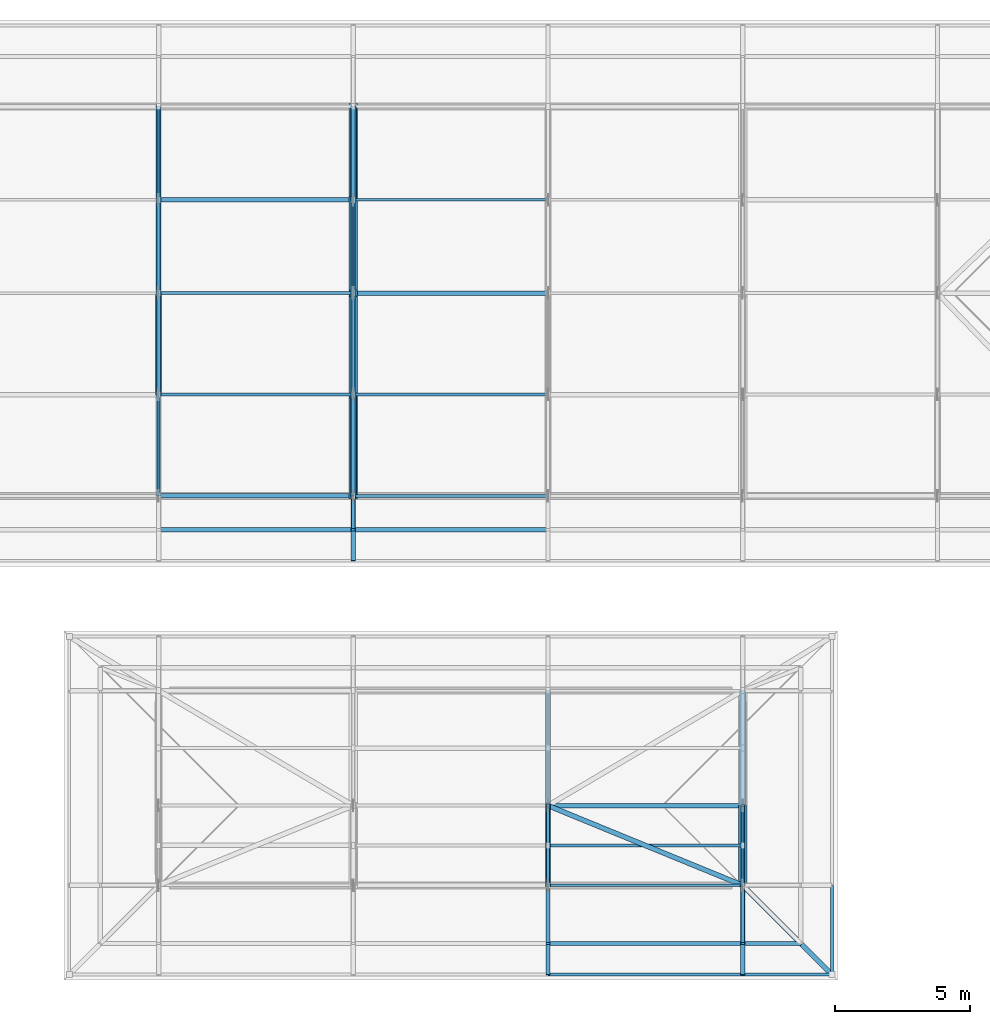
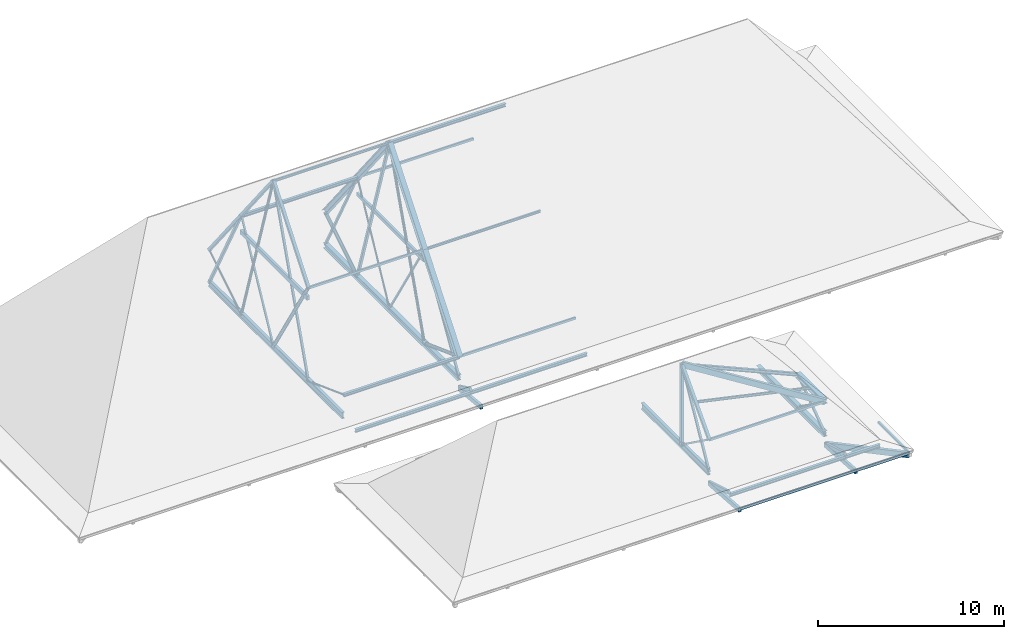
# One storey, part 3 of 12: 57 members, 4 beams.
"""IFC4 building model written with IfcOpenShell, lengths in metres."""

from ifc_helpers import new_model, si_unit, direction, frame, origin, origin_2d, place, context, subcontext, project, spatial, rectangle, hollow_rectangle, hollow_circle, i_section, extrude, material, material_profile, profile_set, type_object, element, save


model = new_model("IFC4")

# Units and contexts
model_context = context("Model", 3, precision=1e-05, world=origin(), true_north=direction((0.0, 1.0)))
body_context = subcontext(model_context, "Body", "Model", "MODEL_VIEW")
ifc_project = project(units=[si_unit("LENGTHUNIT", "METRE"), si_unit("AREAUNIT", "SQUARE_METRE"), si_unit("VOLUMEUNIT", "CUBIC_METRE"), si_unit("PLANEANGLEUNIT", "RADIAN"), si_unit("MASSUNIT", "GRAM", prefix="KILO")], contexts=[model_context])

# Site, building, storey
site_placement = place(None, origin())
site = spatial("IfcSite", under=ifc_project, at=site_placement, CompositionType="ELEMENT")
building_placement = place(site_placement, origin())
building = spatial("IfcBuilding", under=site, at=building_placement, Name="Steenspoor Specialist Clinic", CompositionType="ELEMENT")
storey_placement = place(building_placement, frame((0.0, 0.0, 25.800048828125)))
storey = spatial("IfcBuildingStorey", under=building, at=storey_placement, Name="RF", CompositionType="ELEMENT", Elevation=25.800048828125)

# Beams
ifc_material_1 = material(Name="Steel A992 Grade 50", Category="steel")
ifc_material_profile_1 = material_profile(ifc_material_1, i_section(OverallWidth=0.25390625, OverallDepth=0.35302734375, WebThickness=0.009521484375, FlangeThickness=0.016357421875, at=origin_2d()), Name="W360X91")
ifc_profile_set_1 = profile_set([ifc_material_profile_1], Name="Steel A992 Grade 50")
beam_type_1 = type_object("IfcBeamType", Name="BM-ST-W360X91", PredefinedType="BEAM", material=ifc_profile_set_1)
beam_1_placement = place(storey_placement, frame((81.199951171875, 93.949951171875, 0.196533203125), z_axis=(0.0, 1.0, 0.0), x_axis=(-1.0, 0.0, 0.0)))
element("IfcBeam", 1, at=beam_1_placement, inside=storey, type_object=beam_type_1, Name="ROOF TRUSS Bottom Tie Chord V4 4", PredefinedType="BEAM", context=body_context, shape_type="SweptSolid", body=[
    extrude(i_section(OverallWidth=0.25390625, OverallDepth=0.35302734375, WebThickness=0.009521484375, FlangeThickness=0.016357421875, at=origin_2d()), origin(), (0.0, 0.0, 1.0), 14.400146484375),
])
beam_2_placement = place(storey_placement, frame((95.60009765625, 79.550048828125, 0.196533203125), z_axis=(0.0, 1.0, 0.0), x_axis=(-1.0, 0.0, 0.0)))
element("IfcBeam", 2, at=beam_2_placement, inside=storey, type_object=beam_type_1, Name="ROOF TRUSS Bottom Tie Chord V4S 4", PredefinedType="BEAM", context=body_context, shape_type="SweptSolid", body=[
    extrude(i_section(OverallWidth=0.25390625, OverallDepth=0.35302734375, WebThickness=0.009521484375, FlangeThickness=0.016357421875, at=origin_2d()), origin(), (0.0, 0.0, 1.0), 7.199951171875),
])
ifc_material_profile_2 = material_profile(ifc_material_1, i_section(OverallWidth=0.180908203125, OverallDepth=0.4169921875, WebThickness=0.010986328125, FlangeThickness=0.018310546875, at=origin_2d()), Name="W410X85")
ifc_profile_set_2 = profile_set([ifc_material_profile_2], Name="Steel A992 Grade 50")
beam_type_2 = type_object("IfcBeamType", Name="BM-ST-W410X85", PredefinedType="BEAM", material=ifc_profile_set_2)
beam_3_placement = place(storey_placement, frame((74.0, 93.949951171875, 0.228515625), z_axis=(0.0, 1.0, 0.0), x_axis=(-1.0, 0.0, 0.0)))
element("IfcBeam", 3, at=beam_3_placement, inside=storey, type_object=beam_type_2, Name="ROOF TRUSS Bottom Tie Chord V4 3", PredefinedType="BEAM", context=body_context, shape_type="SweptSolid", body=[
    extrude(i_section(OverallWidth=0.180908203125, OverallDepth=0.4169921875, WebThickness=0.010986328125, FlangeThickness=0.018310546875, at=origin_2d()), origin(), (0.0, 0.0, 1.0), 14.400146484375),
])
beam_4_placement = place(storey_placement, frame((88.39990234375, 79.550048828125, 0.228515625), z_axis=(0.0, 1.0, 0.0), x_axis=(-1.0, 0.0, 0.0)))
element("IfcBeam", 4, at=beam_4_placement, inside=storey, type_object=beam_type_2, Name="ROOF TRUSS Bottom Tie Chord V4S 3", PredefinedType="BEAM", context=body_context, shape_type="SweptSolid", body=[
    extrude(i_section(OverallWidth=0.180908203125, OverallDepth=0.4169921875, WebThickness=0.010986328125, FlangeThickness=0.018310546875, at=origin_2d()), origin(), (0.0, 0.0, 1.0), 7.199951171875),
])

# Members
ifc_material_2 = material(Name="Steel A500 Grade C", Category="steel")
ifc_material_profile_3 = material_profile(ifc_material_2, hollow_circle(Radius=0.084228515625, WallThickness=0.007080078125, at=origin_2d()), Name="CHS168X7.1")
ifc_profile_set_3 = profile_set([ifc_material_profile_3], Name="Steel A500 Grade C")
member_type_1 = type_object("IfcMemberType", Name="MEM-BRACE-CHS168", PredefinedType="BRACE", material=ifc_profile_set_3)
member_1_placement = place(storey_placement, frame((74.0, 101.449951171875, 11.097900390625), z_axis=(0.0, 0.302527577428, -0.953140632276), x_axis=(-1.0, 0.0, 0.0)))
element("IfcMember", 5, at=member_1_placement, inside=storey, type_object=member_type_1, Name="ROOF TRUSS Web Brace V4 3.3", PredefinedType="BRACE", context=body_context, shape_type="SweptSolid", body=[
    extrude(hollow_circle(Radius=0.084228515625, WallThickness=0.007080078125, at=origin_2d()), origin(), (0.0, 0.0, 1.0), 11.40380859375),
])
member_2_placement = place(storey_placement, frame((81.199951171875, 97.699951171875, 0.196533203125), z_axis=(0.0, 0.326363903027, 0.945244202733), x_axis=(-1.0, 0.0, 0.0)))
element("IfcMember", 6, at=member_2_placement, inside=storey, type_object=member_type_1, Name="ROOF TRUSS Web Brace V4 4.2", PredefinedType="BRACE", context=body_context, shape_type="SweptSolid", body=[
    extrude(hollow_circle(Radius=0.084228515625, WallThickness=0.007080078125, at=origin_2d()), origin(), (0.0, 0.0, 1.0), 11.490234375),
])
ifc_material_profile_4 = material_profile(ifc_material_2, hollow_rectangle(XDim=0.126953125, YDim=0.126953125, WallThickness=0.0087890625, at=origin_2d()), Name="HSS127X127X9.5")
ifc_profile_set_4 = profile_set([ifc_material_profile_4], Name="Steel A500 Grade C")
member_type_2 = type_object("IfcMemberType", Name="MEM-BRACE-H127A", PredefinedType="BRACE", material=ifc_profile_set_4)
member_3_placement = place(storey_placement, frame((81.199951171875, 104.89990234375, 6.695556640625), z_axis=(0.0, 0.468899672355, -0.883251434907), x_axis=(-1.0, 0.0, 0.0)))
element("IfcMember", 7, at=member_3_placement, inside=storey, type_object=member_type_2, Name="ROOF TRUSS Web Brace V4 4.4", PredefinedType="BRACE", context=body_context, shape_type="SweptSolid", body=[
    extrude(hollow_rectangle(XDim=0.126953125, YDim=0.126953125, WallThickness=0.0087890625, at=origin_2d()), origin(), (0.0, 0.0, 1.0), 7.358154296875),
])
member_4_placement = place(storey_placement, frame((88.39990234375, 79.550048828125, 0.228515625), z_axis=(0.0, 0.487326825057, 0.873219654829), x_axis=(-1.0, 0.0, 0.0)))
element("IfcMember", 8, at=member_4_placement, inside=storey, type_object=member_type_2, Name="ROOF TRUSS Web Brace V4S 3.1", PredefinedType="BRACE", context=body_context, shape_type="SweptSolid", body=[
    extrude(hollow_rectangle(XDim=0.126953125, YDim=0.126953125, WallThickness=0.0087890625, at=origin_2d()), origin(), (0.0, 0.0, 1.0), 6.05322265625),
])
ifc_material_profile_5 = material_profile(ifc_material_2, hollow_rectangle(XDim=0.126953125, YDim=0.126953125, WallThickness=0.005859375, at=origin_2d()), Name="HSS127X127X6.4")
ifc_profile_set_5 = profile_set([ifc_material_profile_5], Name="Steel A500 Grade C")
member_type_3 = type_object("IfcMemberType", Name="MEM-BRACE-H127B", PredefinedType="BRACE", material=ifc_profile_set_5)
member_5_placement = place(storey_placement, frame((74.0, 97.699951171875, 0.228515625), z_axis=(0.0, 0.326141184088, 0.945321071405), x_axis=(-1.0, 0.0, 0.0)))
element("IfcMember", 9, at=member_5_placement, inside=storey, type_object=member_type_3, Name="ROOF TRUSS Web Brace V4 3.2", PredefinedType="BRACE", context=body_context, shape_type="SweptSolid", body=[
    extrude(hollow_rectangle(XDim=0.126953125, YDim=0.126953125, WallThickness=0.005859375, at=origin_2d()), origin(), (0.0, 0.0, 1.0), 11.498046875),
])
member_6_placement = place(storey_placement, frame((81.199951171875, 93.949951171875, 0.196533203125), z_axis=(0.0, 0.522487076428, 0.85264720428), x_axis=(-1.0, 0.0, 0.0)))
element("IfcMember", 10, at=member_6_placement, inside=storey, type_object=member_type_3, Name="ROOF TRUSS Web Brace V4 4.1", PredefinedType="BRACE", context=body_context, shape_type="SweptSolid", body=[
    extrude(hollow_rectangle(XDim=0.126953125, YDim=0.126953125, WallThickness=0.005859375, at=origin_2d()), origin(), (0.0, 0.0, 1.0), 7.17724609375),
])
member_7_placement = place(storey_placement, frame((95.60009765625, 79.550048828125, 0.196533203125), z_axis=(0.0, 0.812928075084, 0.582364099804), x_axis=(-1.0, 0.0, 0.0)))
element("IfcMember", 11, at=member_7_placement, inside=storey, type_object=member_type_3, Name="ROOF TRUSS Web Brace V4S 4.1", PredefinedType="BRACE", context=body_context, shape_type="SweptSolid", body=[
    extrude(hollow_rectangle(XDim=0.126953125, YDim=0.126953125, WallThickness=0.005859375, at=origin_2d()), origin(), (0.0, 0.0, 1.0), 3.62890625),
])
ifc_material_profile_6 = material_profile(ifc_material_2, hollow_rectangle(XDim=0.15234375, YDim=0.15234375, WallThickness=0.0087890625, at=origin_2d()), Name="HSS152X152X9.5")
ifc_profile_set_6 = profile_set([ifc_material_profile_6], Name="Steel A500 Grade C")
member_type_4 = type_object("IfcMemberType", Name="MEM-BRACE-H152", PredefinedType="BRACE", material=ifc_profile_set_6)
member_8_placement = place(storey_placement, frame((74.0, 104.89990234375, 6.73583984375), z_axis=(0.0, 0.4684328541, -0.883499100848), x_axis=(-1.0, 0.0, 0.0)))
element("IfcMember", 12, at=member_8_placement, inside=storey, type_object=member_type_4, Name="ROOF TRUSS Web Brace V4 3.4", PredefinedType="BRACE", context=body_context, shape_type="SweptSolid", body=[
    extrude(hollow_rectangle(XDim=0.15234375, YDim=0.15234375, WallThickness=0.0087890625, at=origin_2d()), origin(), (0.0, 0.0, 1.0), 7.365478515625),
])
member_9_placement = place(storey_placement, frame((81.199951171875, 101.449951171875, 11.0576171875), z_axis=(0.0, 0.302737606377, -0.953073943451), x_axis=(-1.0, 0.0, 0.0)))
element("IfcMember", 13, at=member_9_placement, inside=storey, type_object=member_type_4, Name="ROOF TRUSS Web Brace V4 4.3", PredefinedType="BRACE", context=body_context, shape_type="SweptSolid", body=[
    extrude(hollow_rectangle(XDim=0.15234375, YDim=0.15234375, WallThickness=0.0087890625, at=origin_2d()), origin(), (0.0, 0.0, 1.0), 11.395751953125),
])
ifc_material_profile_7 = material_profile(ifc_material_2, hollow_rectangle(XDim=0.177734375, YDim=0.177734375, WallThickness=0.0087890625, at=origin_2d()), Name="HSS178X178X9.5")
ifc_profile_set_7 = profile_set([ifc_material_profile_7], Name="Steel A500 Grade C")
member_type_5 = type_object("IfcMemberType", Name="MEM-CHORD-H178", PredefinedType="CHORD", material=ifc_profile_set_7)
member_10_placement = place(storey_placement, frame((74.0, 97.699951171875, 6.3564453125), z_axis=(0.0, 0.620331511659, 0.784339732287), x_axis=(-1.0, 0.0, 0.0)))
element("IfcMember", 14, at=member_10_placement, inside=storey, type_object=member_type_5, Name="ROOF TRUSS Top Chord V4 3.2", PredefinedType="CHORD", context=body_context, shape_type="SweptSolid", body=[
    extrude(hollow_rectangle(XDim=0.177734375, YDim=0.177734375, WallThickness=0.0087890625, at=origin_2d()), origin(), (0.0, 0.0, 1.0), 6.045166015625),
])
for number, where, z_axis, x_axis, name in (
    (15, (74.0, 101.449951171875, 11.097900390625), (0.0, 0.620332945322, -0.784338598405), (-1.0, 0.0, 0.0), "ROOF TRUSS Top Chord V4 3.3"),
    (16, (74.0, 104.89990234375, 6.73583984375), (0.0, 0.620359950148, -0.784317239548), (-1.0, 0.0, 0.0), "ROOF TRUSS Top Chord V4 3.4"),
):
    element("IfcMember", number, at=place(storey_placement, frame(where, z_axis=z_axis, x_axis=x_axis)), inside=storey, type_object=member_type_5, Name=name, PredefinedType="CHORD", context=body_context, shape_type="SweptSolid", body=[
        extrude(hollow_rectangle(XDim=0.177734375, YDim=0.177734375, WallThickness=0.0087890625, at=origin_2d()), origin(), (0.0, 0.0, 1.0), 5.5615234375),
    ])
member_11_placement = place(storey_placement, frame((88.39990234375, 79.550048828125, 2.354248046875), z_axis=(0.0, 0.682376600289, 0.731000803951), x_axis=(-1.0, 0.0, 0.0)))
element("IfcMember", 17, at=member_11_placement, inside=storey, type_object=member_type_5, Name="ROOF TRUSS Top Chord V4S 3.1", PredefinedType="CHORD", context=body_context, shape_type="SweptSolid", body=[
    extrude(hollow_rectangle(XDim=0.177734375, YDim=0.177734375, WallThickness=0.0087890625, at=origin_2d()), origin(), (0.0, 0.0, 1.0), 4.322998046875),
])
ifc_material_profile_8 = material_profile(ifc_material_1, i_section(OverallWidth=0.304931640625, OverallDepth=0.30810546875, WebThickness=0.010009765625, FlangeThickness=0.015380859375, at=origin_2d()), Name="W310X97")
ifc_profile_set_8 = profile_set([ifc_material_profile_8], Name="Steel A992 Grade 50")
member_type_6 = type_object("IfcMemberType", Name="MEM-CHORD-W310", PredefinedType="CHORD", material=ifc_profile_set_8)
for number, where, z_axis, x_axis, name in (
    (18, (81.199951171875, 93.949951171875, 1.57470703125), (0.0, 0.620331511659, 0.784339732287), (-1.0, 0.0, 0.0), "ROOF TRUSS Top Chord V4 4.1"),
    (19, (81.199951171875, 97.699951171875, 6.316162109375), (0.0, 0.620331511659, 0.784339732287), (-1.0, 0.0, 0.0), "ROOF TRUSS Top Chord V4 4.2"),
):
    element("IfcMember", number, at=place(storey_placement, frame(where, z_axis=z_axis, x_axis=x_axis)), inside=storey, type_object=member_type_6, Name=name, PredefinedType="CHORD", context=body_context, shape_type="SweptSolid", body=[
        extrude(i_section(OverallWidth=0.304931640625, OverallDepth=0.30810546875, WebThickness=0.010009765625, FlangeThickness=0.015380859375, at=origin_2d()), origin(), (0.0, 0.0, 1.0), 6.045166015625),
    ])
member_12_placement = place(storey_placement, frame((81.199951171875, 101.449951171875, 11.0576171875), z_axis=(0.0, 0.620332945322, -0.784338598405), x_axis=(-1.0, 0.0, 0.0)))
element("IfcMember", 20, at=member_12_placement, inside=storey, type_object=member_type_6, Name="ROOF TRUSS Top Chord V4 4.3", PredefinedType="CHORD", context=body_context, shape_type="SweptSolid", body=[
    extrude(i_section(OverallWidth=0.304931640625, OverallDepth=0.30810546875, WebThickness=0.010009765625, FlangeThickness=0.015380859375, at=origin_2d()), origin(), (0.0, 0.0, 1.0), 5.5615234375),
])
member_13_placement = place(storey_placement, frame((81.199951171875, 104.89990234375, 6.695556640625), z_axis=(0.0, 0.620338591913, -0.784334132487), x_axis=(-1.0, 0.0, 0.0)))
element("IfcMember", 21, at=member_13_placement, inside=storey, type_object=member_type_6, Name="ROOF TRUSS Top Chord V4 4.4", PredefinedType="CHORD", context=body_context, shape_type="SweptSolid", body=[
    extrude(i_section(OverallWidth=0.304931640625, OverallDepth=0.30810546875, WebThickness=0.010009765625, FlangeThickness=0.015380859375, at=origin_2d()), origin(), (0.0, 0.0, 1.0), 5.561767578125),
])
member_14_placement = place(storey_placement, frame((95.60009765625, 79.550048828125, 2.309814453125), z_axis=(0.0, 1.0, 0.0), x_axis=(-1.0, 0.0, 0.0)))
element("IfcMember", 22, at=member_14_placement, inside=storey, type_object=member_type_6, Name="ROOF TRUSS Top Chord V4S 4.1", PredefinedType="CHORD", context=body_context, shape_type="SweptSolid", body=[
    extrude(i_section(OverallWidth=0.304931640625, OverallDepth=0.30810546875, WebThickness=0.010009765625, FlangeThickness=0.015380859375, at=origin_2d()), origin(), (0.0, 0.0, 1.0), 2.949951171875),
])
ifc_material_profile_9 = material_profile(ifc_material_2, hollow_rectangle(XDim=0.1015625, YDim=0.15234375, WallThickness=0.005859375, at=origin_2d()), Name="HSS152X102X6.4")
ifc_profile_set_9 = profile_set([ifc_material_profile_9], Name="Steel A500 Grade C")
member_type_7 = type_object("IfcMemberType", Name="MEM-PURLIN-H152", PredefinedType="PURLIN", material=ifc_profile_set_9)
for number, where, z_axis, x_axis, name in (
    (23, (74.0, 97.699951171875, 6.33544921875), (1.0, 0.0, 0.0), (0.0, 1.0, 0.0), "ROOF TRUSS Purlin 334"),
    (24, (81.199951171875, 93.949951171875, 1.593994140625), (1.0, 0.0, 0.0), (0.0, 1.0, 0.0), "ROOF TRUSS Purlin 338"),
    (25, (81.199951171875, 104.89990234375, 6.71484375), (1.0, 0.0, 0.0), (0.0, 1.0, 0.0), "ROOF TRUSS Purlin 341"),
):
    element("IfcMember", number, at=place(storey_placement, frame(where, z_axis=z_axis, x_axis=x_axis)), inside=storey, type_object=member_type_7, Name=name, PredefinedType="PURLIN", context=body_context, shape_type="SweptSolid", body=[
        extrude(hollow_rectangle(XDim=0.1015625, YDim=0.15234375, WallThickness=0.005859375, at=origin_2d()), origin(), (0.0, 0.0, 1.0), 7.199951171875),
    ])
member_15_placement = place(storey_placement, frame((88.39990234375, 76.25, -0.195068359375), z_axis=(1.0, 0.0, 0.0), x_axis=(0.0, 1.0, 0.0)))
element("IfcMember", 26, at=member_15_placement, inside=storey, type_object=member_type_7, Name="ROOF TRUSS Eave Fascia 365", PredefinedType="PURLIN", context=body_context, shape_type="SweptSolid", body=[
    extrude(hollow_rectangle(XDim=0.1015625, YDim=0.15234375, WallThickness=0.005859375, at=origin_2d()), origin(), (0.0, 0.0, 1.0), 7.2001953125),
])
member_16_placement = place(storey_placement, frame((95.60009765625, 76.25, -0.195068359375), z_axis=(1.0, 0.0, 0.0), x_axis=(0.0, 1.0, 0.0)))
element("IfcMember", 27, at=member_16_placement, inside=storey, type_object=member_type_7, Name="ROOF TRUSS Eave Fascia 366", PredefinedType="PURLIN", context=body_context, shape_type="SweptSolid", body=[
    extrude(hollow_rectangle(XDim=0.1015625, YDim=0.15234375, WallThickness=0.005859375, at=origin_2d()), origin(), (0.0, 0.0, 1.0), 3.2998046875),
])
member_17_placement = place(storey_placement, frame((98.89990234375, 76.25, -0.195068359375), z_axis=(0.0, 1.0, 0.0), x_axis=(-1.0, 0.0, 0.0)))
element("IfcMember", 28, at=member_17_placement, inside=storey, type_object=member_type_7, Name="ROOF TRUSS Eave Fascia 375", PredefinedType="PURLIN", context=body_context, shape_type="SweptSolid", body=[
    extrude(hollow_rectangle(XDim=0.1015625, YDim=0.15234375, WallThickness=0.005859375, at=origin_2d()), origin(), (0.0, 0.0, 1.0), 3.300048828125),
])
member_18_placement = place(storey_placement, frame((88.39990234375, 79.550048828125, 2.3388671875), z_axis=(1.0, 0.0, 0.0), x_axis=(0.0, 1.0, 0.0)))
element("IfcMember", 29, at=member_18_placement, inside=storey, type_object=member_type_7, Name="ROOF TRUSS Purlin 404", PredefinedType="PURLIN", context=body_context, shape_type="SweptSolid", body=[
    extrude(hollow_rectangle(XDim=0.1015625, YDim=0.15234375, WallThickness=0.005859375, at=origin_2d()), origin(), (0.0, 0.0, 1.0), 7.2001953125),
])
ifc_material_profile_10 = material_profile(ifc_material_1, i_section(OverallWidth=0.10205078125, OverallDepth=0.159912109375, WebThickness=0.006591796875, FlangeThickness=0.01025390625, at=origin_2d()), Name="W150X24")
ifc_profile_set_10 = profile_set([ifc_material_profile_10], Name="Steel A992 Grade 50")
member_type_8 = type_object("IfcMemberType", Name="MEM-PURLIN-W150", PredefinedType="PURLIN", material=ifc_profile_set_10)
for number, where, z_axis, x_axis, name in (
    (30, (74.0, 101.449951171875, 11.0732421875), (1.0, 0.0, 0.0), (0.0, 1.0, 0.0), "ROOF TRUSS Purlin 335"),
    (31, (81.199951171875, 97.699951171875, 6.33154296875), (1.0, 0.0, 0.0), (0.0, 1.0, 0.0), "ROOF TRUSS Purlin 339"),
):
    element("IfcMember", number, at=place(storey_placement, frame(where, z_axis=z_axis, x_axis=x_axis)), inside=storey, type_object=member_type_8, Name=name, PredefinedType="PURLIN", context=body_context, shape_type="SweptSolid", body=[
        extrude(i_section(OverallWidth=0.10205078125, OverallDepth=0.159912109375, WebThickness=0.006591796875, FlangeThickness=0.01025390625, at=origin_2d()), origin(), (0.0, 0.0, 1.0), 7.199951171875),
    ])
member_19_placement = place(storey_placement, frame((88.39990234375, 81.02490234375, 3.9150390625), z_axis=(0.976757198207, 0.0, -0.21434872463), x_axis=(0.0, 1.0, 0.0)))
element("IfcMember", 32, at=member_19_placement, inside=storey, type_object=member_type_8, Name="ROOF TRUSS Purlin 405", PredefinedType="PURLIN", context=body_context, shape_type="SweptSolid", body=[
    extrude(i_section(OverallWidth=0.10205078125, OverallDepth=0.159912109375, WebThickness=0.006591796875, FlangeThickness=0.01025390625, at=origin_2d()), origin(), (0.0, 0.0, 1.0), 7.37158203125),
])
ifc_material_profile_11 = material_profile(ifc_material_1, i_section(OverallWidth=0.1650390625, OverallDepth=0.200927734375, WebThickness=0.006103515625, FlangeThickness=0.01025390625, at=origin_2d()), Name="W200X36")
ifc_profile_set_11 = profile_set([ifc_material_profile_11], Name="Steel A992 Grade 50")
member_type_9 = type_object("IfcMemberType", Name="MEM-PURLIN-W200", PredefinedType="PURLIN", material=ifc_profile_set_11)
for number, where, z_axis, x_axis, name in (
    (33, (74.0, 92.699951171875, -0.0087890625), (1.0, 0.0, 0.0), (0.0, 1.0, 0.0), "ROOF TRUSS Knuckle Purlin 305"),
    (34, (81.199951171875, 92.699951171875, -0.0087890625), (1.0, 0.0, 0.0), (0.0, 1.0, 0.0), "ROOF TRUSS Knuckle Purlin 307"),
    (35, (74.0, 93.949951171875, 1.56982421875), (1.0, 0.0, 0.0), (0.0, 1.0, 0.0), "ROOF TRUSS Purlin 333"),
    (36, (74.0, 104.89990234375, 6.6904296875), (1.0, 0.0, 0.0), (0.0, 1.0, 0.0), "ROOF TRUSS Purlin 336"),
    (37, (81.199951171875, 101.449951171875, 11.052734375), (1.0, 0.0, 0.0), (0.0, 1.0, 0.0), "ROOF TRUSS Purlin 340"),
):
    element("IfcMember", number, at=place(storey_placement, frame(where, z_axis=z_axis, x_axis=x_axis)), inside=storey, type_object=member_type_9, Name=name, PredefinedType="PURLIN", context=body_context, shape_type="SweptSolid", body=[
        extrude(i_section(OverallWidth=0.1650390625, OverallDepth=0.200927734375, WebThickness=0.006103515625, FlangeThickness=0.01025390625, at=origin_2d()), origin(), (0.0, 0.0, 1.0), 7.199951171875),
    ])
member_20_placement = place(storey_placement, frame((88.39990234375, 77.39990234375, 0.01318359375), z_axis=(1.0, 0.0, 0.0), x_axis=(0.0, 1.0, 0.0)))
element("IfcMember", 38, at=member_20_placement, inside=storey, type_object=member_type_9, Name="ROOF TRUSS Knuckle Purlin 384", PredefinedType="PURLIN", context=body_context, shape_type="SweptSolid", body=[
    extrude(i_section(OverallWidth=0.1650390625, OverallDepth=0.200927734375, WebThickness=0.006103515625, FlangeThickness=0.01025390625, at=origin_2d()), origin(), (0.0, 0.0, 1.0), 7.2001953125),
])
member_21_placement = place(storey_placement, frame((95.60009765625, 77.39990234375, 0.01318359375), z_axis=(1.0, 0.0, 0.0), x_axis=(0.0, 1.0, 0.0)))
element("IfcMember", 39, at=member_21_placement, inside=storey, type_object=member_type_9, Name="ROOF TRUSS Knuckle Purlin 386", PredefinedType="PURLIN", context=body_context, shape_type="SweptSolid", body=[
    extrude(i_section(OverallWidth=0.1650390625, OverallDepth=0.200927734375, WebThickness=0.006103515625, FlangeThickness=0.01025390625, at=origin_2d()), origin(), (0.0, 0.0, 1.0), 2.14990234375),
])
member_22_placement = place(storey_placement, frame((88.39990234375, 82.5, 5.474609375), z_axis=(0.915686393719, 0.0, -0.401893553516), x_axis=(0.0, 1.0, 0.0)))
element("IfcMember", 40, at=member_22_placement, inside=storey, type_object=member_type_9, Name="ROOF TRUSS Purlin 406", PredefinedType="PURLIN", context=body_context, shape_type="SweptSolid", body=[
    extrude(i_section(OverallWidth=0.1650390625, OverallDepth=0.200927734375, WebThickness=0.006103515625, FlangeThickness=0.01025390625, at=origin_2d()), origin(), (0.0, 0.0, 1.0), 7.86328125),
])
ifc_material_3 = material(Name="Glulam GL28h", Category="wood")
ifc_material_profile_12 = material_profile(ifc_material_3, rectangle(XDim=0.139892578125, YDim=0.219970703125, at=origin_2d()), Name="GL28H-140X220")
ifc_profile_set_12 = profile_set([ifc_material_profile_12], Name="Glulam GL28h")
member_type_10 = type_object("IfcMemberType", Name="MEM-RAFTER-GL220", PredefinedType="RAFTER", material=ifc_profile_set_12)
member_23_placement = place(storey_placement, frame((81.199951171875, 93.949951171875, -0.40869140625), z_axis=(0.0, -0.905662768709, 0.423998761054), x_axis=(1.0, 0.0, 0.0)))
element("IfcMember", 41, at=member_23_placement, inside=storey, type_object=member_type_10, Name="ROOF TRUSS Knuckle Rafter V4 192", PredefinedType="RAFTER", context=body_context, shape_type="SweptSolid", body=[
    extrude(rectangle(XDim=0.139892578125, YDim=0.219970703125, at=origin_2d()), origin(), (0.0, 0.0, 1.0), 1.380126953125),
])
member_24_placement = place(storey_placement, frame((81.199951171875, 97.699951171875, 5.62646484375), z_axis=(0.0, 1.0, 0.0), x_axis=(-1.0, 0.0, 0.0)))
element("IfcMember", 42, at=member_24_placement, inside=storey, type_object=member_type_10, Name="ROOF TRUSS Glulam Collar Rafter V4 4", PredefinedType="RAFTER", context=body_context, shape_type="SweptSolid", body=[
    extrude(rectangle(XDim=0.139892578125, YDim=0.219970703125, at=origin_2d()), origin(), (0.0, 0.0, 1.0), 7.199951171875),
])
for number, where, z_axis, x_axis, name in (
    (43, (88.39990234375, 79.550048828125, -0.459716796875), (0.0, -0.958901299504, 0.283739841774), (1.0, 0.0, 0.0), "ROOF TRUSS Knuckle Rafter V4S 236"),
    (44, (95.60009765625, 79.550048828125, -0.459716796875), (0.0, -0.958901299504, 0.283739841774), (1.0, 0.0, 0.0), "ROOF TRUSS Knuckle Rafter V4S 240"),
):
    element("IfcMember", number, at=place(storey_placement, frame(where, z_axis=z_axis, x_axis=x_axis)), inside=storey, type_object=member_type_10, Name=name, PredefinedType="RAFTER", context=body_context, shape_type="SweptSolid", body=[
        extrude(rectangle(XDim=0.139892578125, YDim=0.219970703125, at=origin_2d()), origin(), (0.0, 0.0, 1.0), 2.2421875),
    ])
member_25_placement = place(storey_placement, frame((88.39990234375, 82.5, 0.179931640625), z_axis=(0.0, 0.0, 1.0), x_axis=(1.0, 0.0, 0.0)))
element("IfcMember", 45, at=member_25_placement, inside=storey, type_object=member_type_10, Name="ROOF TRUSS Hip King Post V4S E", PredefinedType="RAFTER", context=body_context, shape_type="SweptSolid", body=[
    extrude(rectangle(XDim=0.139892578125, YDim=0.219970703125, at=origin_2d()), origin(), (0.0, 0.0, 1.0), 5.37451171875),
])
ifc_material_profile_13 = material_profile(ifc_material_3, rectangle(XDim=0.159912109375, YDim=0.280029296875, at=origin_2d()), Name="GL28H-160X280")
ifc_profile_set_13 = profile_set([ifc_material_profile_13], Name="Glulam GL28h")
member_type_11 = type_object("IfcMemberType", Name="MEM-RAFTER-GL280", PredefinedType="RAFTER", material=ifc_profile_set_13)
member_26_placement = place(storey_placement, frame((81.199951171875, 93.949951171875, -0.5), z_axis=(0.0, -0.99532367136, 0.096596010425), x_axis=(1.0, 0.0, 0.0)))
element("IfcMember", 46, at=member_26_placement, inside=storey, type_object=member_type_11, Name="ROOF TRUSS Flared Eave Glulam Outrigger V4 191", PredefinedType="RAFTER", context=body_context, shape_type="SweptSolid", body=[
    extrude(rectangle(XDim=0.159912109375, YDim=0.280029296875, at=origin_2d()), origin(), (0.0, 0.0, 1.0), 2.4111328125),
])
member_27_placement = place(storey_placement, frame((74.0, 97.699951171875, 5.66259765625), z_axis=(0.0, 1.0, 0.0), x_axis=(-1.0, 0.0, 0.0)))
element("IfcMember", 47, at=member_27_placement, inside=storey, type_object=member_type_11, Name="ROOF TRUSS Glulam Collar Rafter V4 3", PredefinedType="RAFTER", context=body_context, shape_type="SweptSolid", body=[
    extrude(rectangle(XDim=0.159912109375, YDim=0.280029296875, at=origin_2d()), origin(), (0.0, 0.0, 1.0), 7.199951171875),
])
for number, where, z_axis, x_axis, name in (
    (48, (88.39990234375, 79.550048828125, -0.5), (0.0, -0.997518653982, 0.070402663009), (1.0, 0.0, 0.0), "ROOF TRUSS Flared Eave Glulam Outrigger V4S 235"),
    (49, (95.60009765625, 79.550048828125, -0.5), (0.0, -0.997518653982, 0.070402663009), (1.0, 0.0, 0.0), "ROOF TRUSS Flared Eave Glulam Outrigger V4S 239"),
):
    element("IfcMember", number, at=place(storey_placement, frame(where, z_axis=z_axis, x_axis=x_axis)), inside=storey, type_object=member_type_11, Name=name, PredefinedType="RAFTER", context=body_context, shape_type="SweptSolid", body=[
        extrude(rectangle(XDim=0.159912109375, YDim=0.280029296875, at=origin_2d()), origin(), (0.0, 0.0, 1.0), 3.308349609375),
    ])
ifc_material_profile_14 = material_profile(ifc_material_3, rectangle(XDim=0.179931640625, YDim=0.360107421875, at=origin_2d()), Name="GL28H-180X360")
ifc_profile_set_14 = profile_set([ifc_material_profile_14], Name="Glulam GL28h")
member_type_12 = type_object("IfcMemberType", Name="MEM-RAFTER-GL360", PredefinedType="RAFTER", material=ifc_profile_set_14)
member_28_placement = place(storey_placement, frame((95.60009765625, 79.550048828125, -0.5), z_axis=(0.706485138482, -0.706537408764, 0.041032171775), x_axis=(0.707132937873, 0.707080623533, 0.0)))
element("IfcMember", 50, at=member_28_placement, inside=storey, type_object=member_type_12, Name="ROOF TRUSS Corner Hip Outrigger V4S 255", PredefinedType="RAFTER", context=body_context, shape_type="SweptSolid", body=[
    extrude(rectangle(XDim=0.179931640625, YDim=0.360107421875, at=origin_2d()), origin(), (0.0, 0.0, 1.0), 4.670654296875),
])
member_29_placement = place(storey_placement, frame((95.60009765625, 79.550048828125, 2.309814453125), z_axis=(-0.855624919152, 0.350553231321, 0.380812853953), x_axis=(-0.379119041803, -0.925347908704, 0.0)))
element("IfcMember", 51, at=member_29_placement, inside=storey, type_object=member_type_12, Name="ROOF TRUSS Hip Rafter V4S 411", PredefinedType="RAFTER", context=body_context, shape_type="SweptSolid", body=[
    extrude(rectangle(XDim=0.179931640625, YDim=0.360107421875, at=origin_2d()), origin(), (0.0, 0.0, 1.0), 8.4150390625),
])
ifc_material_profile_15 = material_profile(ifc_material_2, hollow_circle(Radius=0.05712890625, WallThickness=0.006103515625, at=origin_2d()), Name="CHS114X6.0")
ifc_profile_set_15 = profile_set([ifc_material_profile_15], Name="Steel A500 Grade C")
member_type_13 = type_object("IfcMemberType", Name="MEM-STRUT-CHS114", PredefinedType="STRUT", material=ifc_profile_set_15)
member_30_placement = place(storey_placement, frame((74.0, 93.949951171875, 1.614990234375), z_axis=(0.0, 0.937945282595, -0.346783285147), x_axis=(-1.0, 0.0, 0.0)))
element("IfcMember", 52, at=member_30_placement, inside=storey, type_object=member_type_13, Name="ROOF TRUSS Web Strut V4 3.1", PredefinedType="STRUT", context=body_context, shape_type="SweptSolid", body=[
    extrude(hollow_circle(Radius=0.05712890625, WallThickness=0.006103515625, at=origin_2d()), origin(), (0.0, 0.0, 1.0), 3.998046875),
])
member_31_placement = place(storey_placement, frame((74.0, 104.89990234375, 0.228515625), z_axis=(0.0, 0.849224879119, 0.528031348204), x_axis=(-1.0, 0.0, 0.0)))
element("IfcMember", 53, at=member_31_placement, inside=storey, type_object=member_type_13, Name="ROOF TRUSS Web Strut V4 3.4", PredefinedType="STRUT", context=body_context, shape_type="SweptSolid", body=[
    extrude(hollow_circle(Radius=0.05712890625, WallThickness=0.006103515625, at=origin_2d()), origin(), (0.0, 0.0, 1.0), 4.062744140625),
])
member_32_placement = place(storey_placement, frame((81.199951171875, 101.449951171875, 0.196533203125), z_axis=(0.0, 0.46887378694, 0.883265176445), x_axis=(-1.0, 0.0, 0.0)))
element("IfcMember", 54, at=member_32_placement, inside=storey, type_object=member_type_13, Name="ROOF TRUSS Web Strut V4 4.3", PredefinedType="STRUT", context=body_context, shape_type="SweptSolid", body=[
    extrude(hollow_circle(Radius=0.05712890625, WallThickness=0.006103515625, at=origin_2d()), origin(), (0.0, 0.0, 1.0), 7.35791015625),
])
member_33_placement = place(storey_placement, frame((95.60009765625, 79.550048828125, 2.309814453125), z_axis=(0.0, 0.812928075084, -0.582364099804), x_axis=(-1.0, 0.0, 0.0)))
element("IfcMember", 55, at=member_33_placement, inside=storey, type_object=member_type_13, Name="ROOF TRUSS Web Strut V4S 4.1", PredefinedType="STRUT", context=body_context, shape_type="SweptSolid", body=[
    extrude(hollow_circle(Radius=0.05712890625, WallThickness=0.006103515625, at=origin_2d()), origin(), (0.0, 0.0, 1.0), 3.62890625),
])
ifc_material_profile_16 = material_profile(ifc_material_2, hollow_circle(Radius=0.109619140625, WallThickness=0.00830078125, at=origin_2d()), Name="CHS219X8.2")
ifc_profile_set_16 = profile_set([ifc_material_profile_16], Name="Steel A500 Grade C")
member_type_14 = type_object("IfcMemberType", Name="MEM-STRUT-CHS219", PredefinedType="STRUT", material=ifc_profile_set_16)
member_34_placement = place(storey_placement, frame((74.0, 97.699951171875, 6.3564453125), z_axis=(0.0, 0.521972250556, -0.852962466729), x_axis=(-1.0, 0.0, 0.0)))
element("IfcMember", 56, at=member_34_placement, inside=storey, type_object=member_type_14, Name="ROOF TRUSS Web Strut V4 3.2", PredefinedType="STRUT", context=body_context, shape_type="SweptSolid", body=[
    extrude(hollow_circle(Radius=0.109619140625, WallThickness=0.00830078125, at=origin_2d()), origin(), (0.0, 0.0, 1.0), 7.184326171875),
])
member_35_placement = place(storey_placement, frame((81.199951171875, 93.949951171875, 1.57470703125), z_axis=(0.0, 0.938619293298, -0.344954811893), x_axis=(-1.0, 0.0, 0.0)))
element("IfcMember", 57, at=member_35_placement, inside=storey, type_object=member_type_14, Name="ROOF TRUSS Web Strut V4 4.1", PredefinedType="STRUT", context=body_context, shape_type="SweptSolid", body=[
    extrude(hollow_circle(Radius=0.109619140625, WallThickness=0.00830078125, at=origin_2d()), origin(), (0.0, 0.0, 1.0), 3.9951171875),
])
member_36_placement = place(storey_placement, frame((81.199951171875, 104.89990234375, 0.196533203125), z_axis=(0.0, 0.850167694182, 0.526512005341), x_axis=(-1.0, 0.0, 0.0)))
element("IfcMember", 58, at=member_36_placement, inside=storey, type_object=member_type_14, Name="ROOF TRUSS Web Strut V4 4.4", PredefinedType="STRUT", context=body_context, shape_type="SweptSolid", body=[
    extrude(hollow_circle(Radius=0.109619140625, WallThickness=0.00830078125, at=origin_2d()), origin(), (0.0, 0.0, 1.0), 4.058349609375),
])
ifc_material_profile_17 = material_profile(ifc_material_2, hollow_rectangle(XDim=0.1015625, YDim=0.1015625, WallThickness=0.005859375, at=origin_2d()), Name="HSS102X102X6.4")
ifc_profile_set_17 = profile_set([ifc_material_profile_17], Name="Steel A500 Grade C")
member_type_15 = type_object("IfcMemberType", Name="MEM-STRUT-H102", PredefinedType="STRUT", material=ifc_profile_set_17)
member_37_placement = place(storey_placement, frame((74.0, 101.449951171875, 0.228515625), z_axis=(0.0, 0.468406979952, 0.883512818884), x_axis=(-1.0, 0.0, 0.0)))
element("IfcMember", 59, at=member_37_placement, inside=storey, type_object=member_type_15, Name="ROOF TRUSS Web Strut V4 3.3", PredefinedType="STRUT", context=body_context, shape_type="SweptSolid", body=[
    extrude(hollow_rectangle(XDim=0.1015625, YDim=0.1015625, WallThickness=0.005859375, at=origin_2d()), origin(), (0.0, 0.0, 1.0), 7.365234375),
])
member_38_placement = place(storey_placement, frame((81.199951171875, 97.699951171875, 6.316162109375), z_axis=(0.0, 0.522487076428, -0.85264720428), x_axis=(-1.0, 0.0, 0.0)))
element("IfcMember", 60, at=member_38_placement, inside=storey, type_object=member_type_15, Name="ROOF TRUSS Web Strut V4 4.2", PredefinedType="STRUT", context=body_context, shape_type="SweptSolid", body=[
    extrude(hollow_rectangle(XDim=0.1015625, YDim=0.1015625, WallThickness=0.005859375, at=origin_2d()), origin(), (0.0, 0.0, 1.0), 7.17724609375),
])
member_39_placement = place(storey_placement, frame((88.39990234375, 79.550048828125, 2.354248046875), z_axis=(0.0, 0.811303766276, -0.584624835965), x_axis=(-1.0, 0.0, 0.0)))
element("IfcMember", 61, at=member_39_placement, inside=storey, type_object=member_type_15, Name="ROOF TRUSS Web Strut V4S 3.1", PredefinedType="STRUT", context=body_context, shape_type="SweptSolid", body=[
    extrude(hollow_rectangle(XDim=0.1015625, YDim=0.1015625, WallThickness=0.005859375, at=origin_2d()), origin(), (0.0, 0.0, 1.0), 3.635986328125),
])

save(model, "model.ifc")
